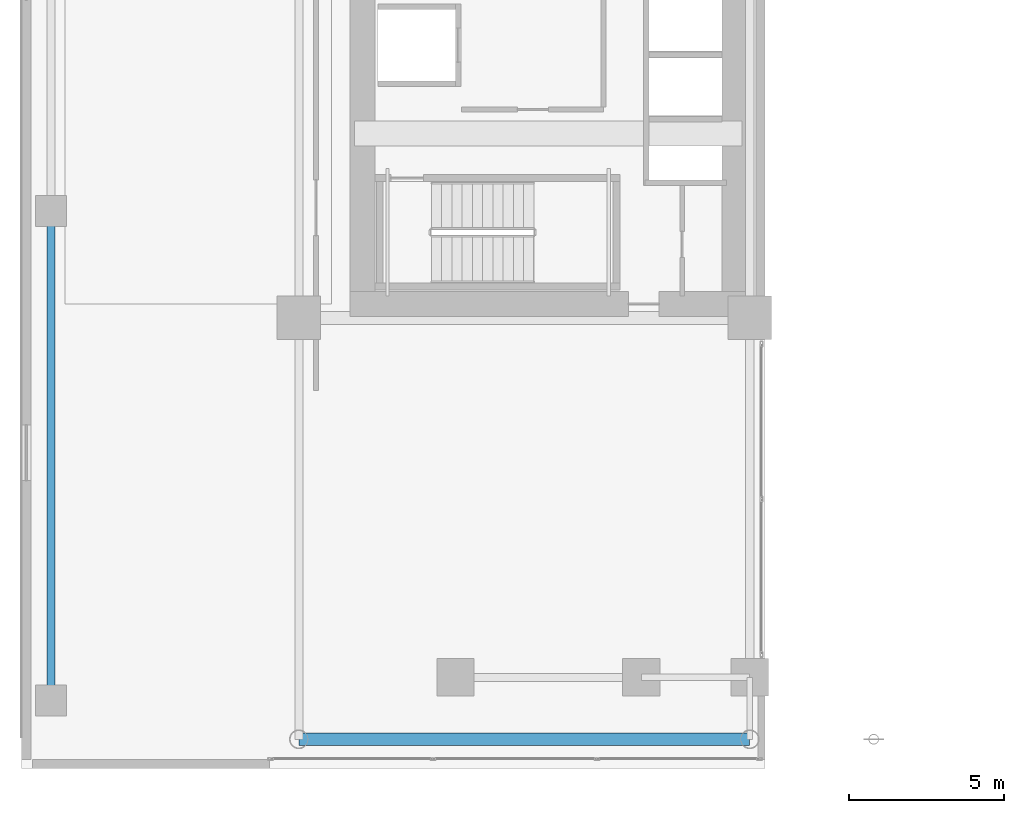
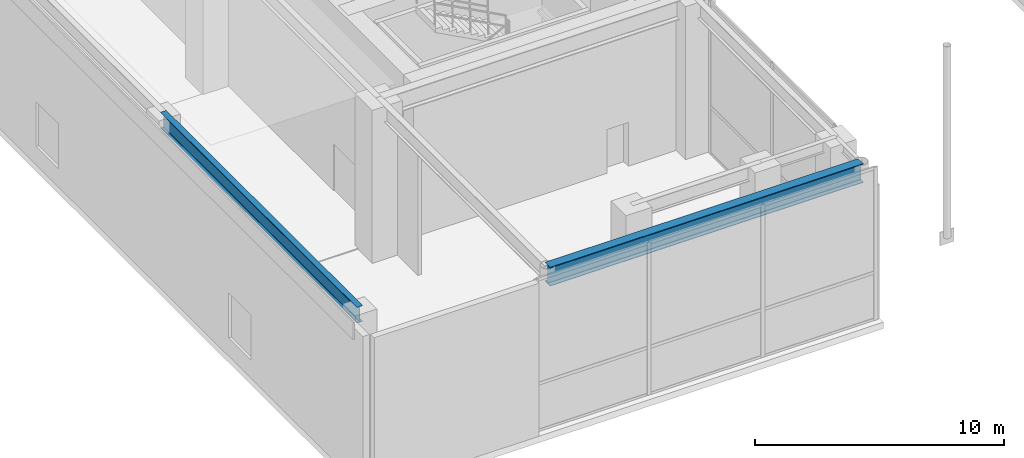
# One storey, part 4 of 29: 2 beams.
"""IFC4 building model written with IfcOpenShell, lengths in metres."""

from ifc_helpers import new_model, si_unit, direction, frame, origin, origin_2d, place, context, subcontext, project, spatial, i_section, extrude, source, transform, mapped, material, material_profile, profile_set, type_object, element, save


model = new_model("IFC4")

# Units and contexts
model_context = context("Model", 3, precision=1e-05, world=origin(), true_north=direction((0.0, 1.0)))
body_context = subcontext(model_context, "Body", "Model", "MODEL_VIEW")
ifc_project = project(units=[si_unit("LENGTHUNIT", "METRE"), si_unit("AREAUNIT", "SQUARE_METRE"), si_unit("VOLUMEUNIT", "CUBIC_METRE"), si_unit("PLANEANGLEUNIT", "RADIAN"), si_unit("MASSUNIT", "GRAM", prefix="KILO")], contexts=[model_context])

# Site, building, storey
site_placement = place(None, origin())
site = spatial("IfcSite", under=ifc_project, at=site_placement, CompositionType="ELEMENT")
building_placement = place(site_placement, origin())
building = spatial("IfcBuilding", under=site, at=building_placement, Name="Ocotamira Hotel", CompositionType="ELEMENT")
storey_placement = place(building_placement, frame((0.0, 0.0, 11.39990234375)))
storey = spatial("IfcBuildingStorey", under=building, at=storey_placement, Name="L03", CompositionType="ELEMENT", Elevation=11.39990234375)

# Beams
ifc_material = material(Name="Steel ASTM A992 Grade 50", Category="steel")
ifc_material_profile_1 = material_profile(ifc_material, i_section(OverallWidth=0.41796875, OverallDepth=0.927001953125, WebThickness=0.019287109375, FlangeThickness=0.031982421875, FilletRadius=0.02392578125, at=origin_2d()), Name="W36X231")
ifc_profile_set_1 = profile_set([ifc_material_profile_1], Name="Steel ASTM A992 Grade 50")
beam_type_1 = type_object("IfcBeamType", Name="BM-GIRD-W36X231", PredefinedType="BEAM", material=ifc_profile_set_1)
shared_shape_1 = source(origin(), body_context, "Body", "SweptSolid", [
    extrude(i_section(OverallWidth=0.41796875, OverallDepth=0.927001953125, WebThickness=0.019287109375, FlangeThickness=0.031982421875, FilletRadius=0.02392578125, at=origin_2d()), origin(), (0.0, 0.0, 1.0), 14.550048828125),
])
beam_1_placement = place(storey_placement, frame((8.949951171875, 0.949951171875, 7.046630859375), z_axis=(1.0, 0.0, 0.0), x_axis=(0.0, 1.0, 0.0)))
element("IfcBeam", 1, at=beam_1_placement, inside=storey, type_object=beam_type_1, Name="L03 Girder Y0.95 X8.95-23.5", PredefinedType="BEAM", context=body_context, shape_type="MappedRepresentation", body=[
    mapped(shared_shape_1, transform((0.0, 0.0, 0.0), scale=1.0)),
])
ifc_material_profile_2 = material_profile(ifc_material, i_section(OverallWidth=0.26611328125, OverallDepth=0.779052734375, WebThickness=0.0166015625, FlangeThickness=0.030029296875, FilletRadius=0.01806640625, at=origin_2d()), Name="W30X148")
ifc_profile_set_2 = profile_set([ifc_material_profile_2], Name="Steel ASTM A992 Grade 50")
beam_type_2 = type_object("IfcBeamType", Name="BM-GIRD-W30X148", PredefinedType="BEAM", material=ifc_profile_set_2)
shared_shape_2 = source(origin(), body_context, "Body", "SweptSolid", [
    extrude(i_section(OverallWidth=0.26611328125, OverallDepth=0.779052734375, WebThickness=0.0166015625, FlangeThickness=0.030029296875, FilletRadius=0.01806640625, at=origin_2d()), origin(), (0.0, 0.0, 1.0), 15.800048828125),
])
beam_2_placement = place(storey_placement, frame((0.949951171875, 2.199951171875, 7.12060546875), z_axis=(0.0, 1.0, 0.0), x_axis=(-1.0, 0.0, 0.0)))
element("IfcBeam", 2, at=beam_2_placement, inside=storey, type_object=beam_type_2, Name="L03 Beam X0.95 Y2.2-18", PredefinedType="BEAM", context=body_context, shape_type="MappedRepresentation", body=[
    mapped(shared_shape_2, transform((0.0, 0.0, 0.0), scale=1.0)),
])

save(model, "model.ifc")
